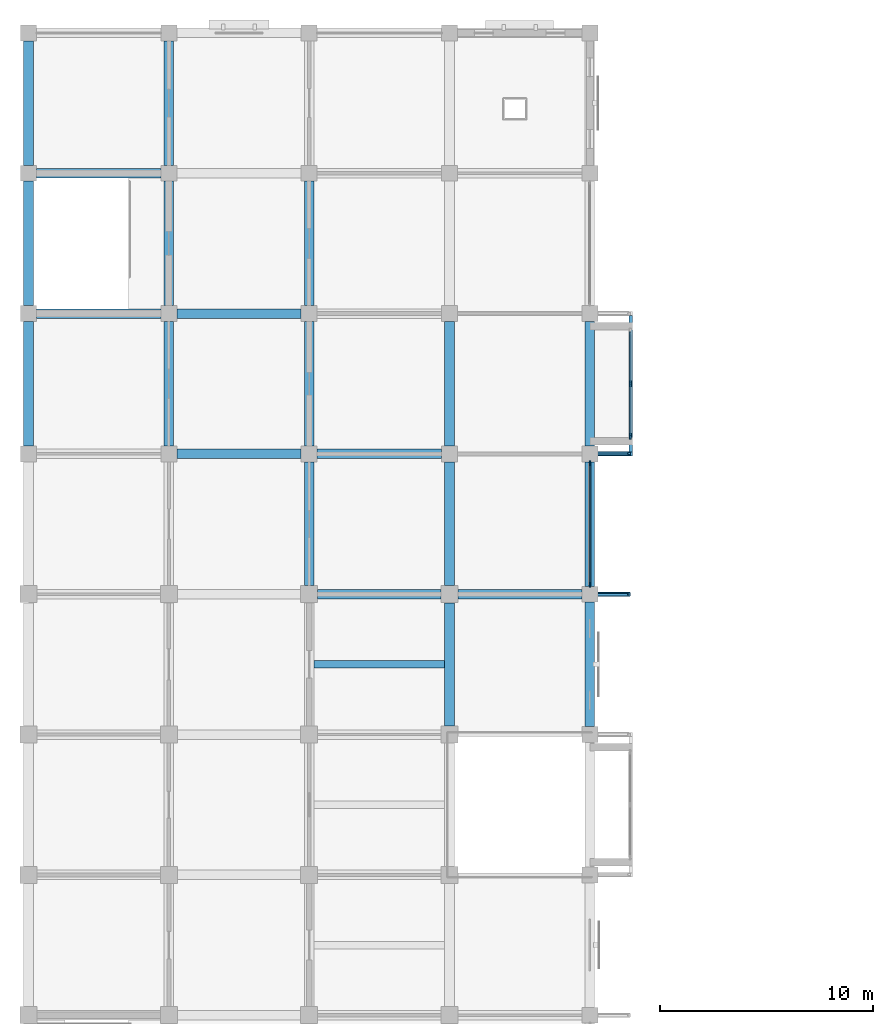
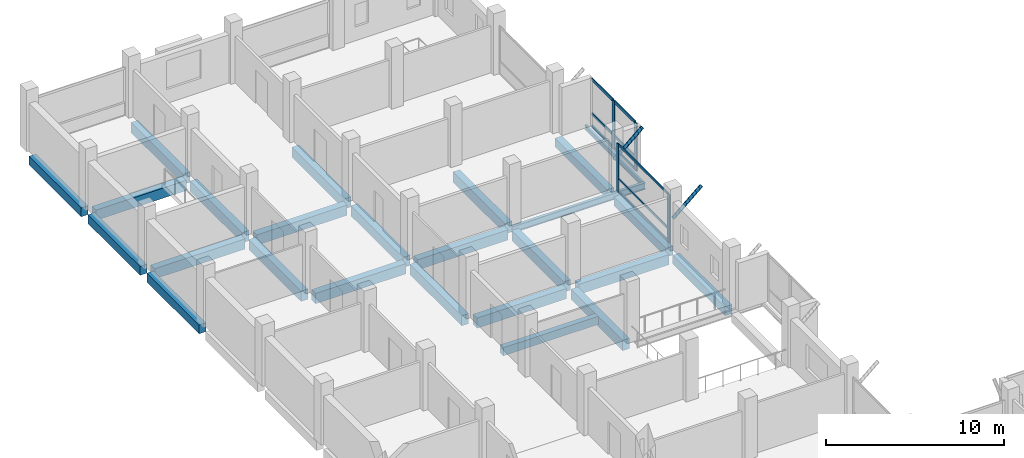
# One storey, part 4 of 14: 25 beams, 15 members, 2 elements without a shape of their own.
"""IFC4 building model written with IfcOpenShell, lengths in metres."""

from ifc_helpers import new_model, si_unit, direction, frame, origin, origin_2d, place, context, subcontext, project, spatial, rectangle, hollow_circle, i_section, extrude, material, material_profile, profile_set, type_object, element, aggregate, save


model = new_model("IFC4")

# Units and contexts
model_context = context("Model", 3, precision=1e-05, world=origin(), true_north=direction((0.0, 1.0)))
body_context = subcontext(model_context, "Body", "Model", "MODEL_VIEW")
ifc_project = project(units=[si_unit("LENGTHUNIT", "METRE"), si_unit("AREAUNIT", "SQUARE_METRE"), si_unit("VOLUMEUNIT", "CUBIC_METRE"), si_unit("PLANEANGLEUNIT", "RADIAN"), si_unit("MASSUNIT", "GRAM", prefix="KILO")], contexts=[model_context])

# Site, building, storey
site_placement = place(None, origin())
site = spatial("IfcSite", under=ifc_project, at=site_placement, CompositionType="ELEMENT")
building_placement = place(site_placement, origin())
building = spatial("IfcBuilding", under=site, at=building_placement, Name="Rusizi Kubbe Research Institute", CompositionType="ELEMENT")
storey_placement = place(building_placement, frame((0.0, 0.0, 31.199951171875)))
storey = spatial("IfcBuildingStorey", under=building, at=storey_placement, Name="L07", CompositionType="ELEMENT", Elevation=31.199951171875)

# Beams
ifc_material_1 = material(Name="Steel S355", Category="steel")
ifc_material_profile_1 = material_profile(ifc_material_1, i_section(OverallWidth=0.14990234375, OverallDepth=0.300048828125, WebThickness=0.007080078125, FlangeThickness=0.0107421875, at=origin_2d()), Name="IPE 300")
ifc_profile_set_1 = profile_set([ifc_material_profile_1], Name="Steel S355")
beam_type_1 = type_object("IfcBeamType", Name="BM-IPE300", PredefinedType="BEAM", material=ifc_profile_set_1)
beam_1_placement = place(storey_placement, frame((28.324951171875, 59.4951171875, -0.47998046875), z_axis=(0.0, 1.0, 0.0), x_axis=(-1.0, 0.0, 0.0)))
element("IfcBeam", 1, at=beam_1_placement, inside=storey, type_object=beam_type_1, Name="Cumba Edge Tie Beam L07-2", PredefinedType="BEAM", context=body_context, shape_type="SweptSolid", body=[
    extrude(i_section(OverallWidth=0.14990234375, OverallDepth=0.300048828125, WebThickness=0.007080078125, FlangeThickness=0.0107421875, at=origin_2d()), origin(), (0.0, 0.0, 1.0), 6.409912109375),
])
ifc_material_2 = material(Name="Steel S355", Category="steel")
ifc_material_profile_2 = material_profile(ifc_material_2, i_section(OverallWidth=0.18994140625, OverallDepth=0.449951171875, WebThickness=0.009521484375, FlangeThickness=0.0146484375, at=origin_2d()), Name="IPE 450")
ifc_profile_set_2 = profile_set([ifc_material_profile_2], Name="Steel S355")
beam_type_2 = type_object("IfcBeamType", Name="BM-IPE450", PredefinedType="BEAM", material=ifc_profile_set_2)
beam_2_placement = place(storey_placement, frame((19.800048828125, 59.39990234375, -0.554931640625), z_axis=(1.0, 0.0, 0.0), x_axis=(0.0, 1.0, 0.0)))
element("IfcBeam", 2, at=beam_2_placement, inside=storey, type_object=beam_type_2, Name="Cumba Back-Spanned Cantilever Beam L07-2S", PredefinedType="BEAM", context=body_context, shape_type="SweptSolid", body=[
    extrude(i_section(OverallWidth=0.18994140625, OverallDepth=0.449951171875, WebThickness=0.009521484375, FlangeThickness=0.0146484375, at=origin_2d()), origin(), (0.0, 0.0, 1.0), 8.599853515625),
])
ifc_material_3 = material(Name="Concrete C40/50", Category="concrete")
ifc_material_profile_3 = material_profile(ifc_material_3, rectangle(XDim=0.35009765625, YDim=0.550048828125, at=origin_2d()), Name="RC350x550")
ifc_profile_set_3 = profile_set([ifc_material_profile_3], Name="Concrete C40/50")
beam_type_3 = type_object("IfcBeamType", Name="BM-RC350x550", PredefinedType="JOIST", material=ifc_profile_set_3)
beam_3_placement = place(storey_placement, frame((13.425048828125, 49.5, -0.60498046875), z_axis=(1.0, 0.0, 0.0), x_axis=(0.0, 1.0, 0.0)))
element("IfcBeam", 3, at=beam_3_placement, inside=storey, type_object=beam_type_3, Name="Lab Stiffener Joist L07 (2,7)", PredefinedType="JOIST", context=body_context, shape_type="SweptSolid", body=[
    extrude(rectangle(XDim=0.35009765625, YDim=0.550048828125, at=origin_2d()), origin(), (0.0, 0.0, 1.0), 6.14990234375),
])
ifc_material_4 = material(Name="Concrete C40/50", Category="concrete")
ifc_material_profile_4 = material_profile(ifc_material_4, rectangle(XDim=0.449951171875, YDim=0.60009765625, at=origin_2d()), Name="RC450x600")
ifc_profile_set_4 = profile_set([ifc_material_profile_4], Name="Concrete C40/50")
beam_type_4 = type_object("IfcBeamType", Name="BM-RC450x600", PredefinedType="SPANDREL", material=ifc_profile_set_4)
for number, where, z_axis, x_axis, name in (
    (4, (0.0, 59.77490234375, -0.6298828125), (0.0, 1.0, 0.0), (-1.0, 0.0, 0.0), "Grid Beam V L07 (0,9)"),
    (5, (0.0, 66.375, -0.6298828125), (0.0, 1.0, 0.0), (-1.0, 0.0, 0.0), "Grid Beam V L07 (0,10)"),
):
    element("IfcBeam", number, at=place(storey_placement, frame(where, z_axis=z_axis, x_axis=x_axis)), inside=storey, type_object=beam_type_4, Name=name, PredefinedType="SPANDREL", context=body_context, shape_type="SweptSolid", body=[
        extrude(rectangle(XDim=0.449951171875, YDim=0.60009765625, at=origin_2d()), origin(), (0.0, 0.0, 1.0), 5.85009765625),
    ])
beam_4_placement = place(storey_placement, frame((0.0, 72.97509765625, -0.6298828125), z_axis=(0.0, 1.0, 0.0), x_axis=(-1.0, 0.0, 0.0)))
element("IfcBeam", 6, at=beam_4_placement, inside=storey, type_object=beam_type_4, Name="Grid Beam V L07 (0,11)", PredefinedType="SPANDREL", context=body_context, shape_type="SweptSolid", body=[
    extrude(rectangle(XDim=0.449951171875, YDim=0.60009765625, at=origin_2d()), origin(), (0.0, 0.0, 1.0), 5.849853515625),
])
beam_5_placement = place(storey_placement, frame((26.39990234375, 46.574951171875, -0.6298828125), z_axis=(0.0, 1.0, 0.0), x_axis=(-1.0, 0.0, 0.0)))
element("IfcBeam", 7, at=beam_5_placement, inside=storey, type_object=beam_type_4, Name="Grid Beam V L07 (4,7)", PredefinedType="SPANDREL", context=body_context, shape_type="SweptSolid", body=[
    extrude(rectangle(XDim=0.449951171875, YDim=0.60009765625, at=origin_2d()), origin(), (0.0, 0.0, 1.0), 5.85009765625),
])
beam_6_placement = place(storey_placement, frame((26.39990234375, 53.175048828125, -0.6298828125), z_axis=(0.0, 1.0, 0.0), x_axis=(-1.0, 0.0, 0.0)))
element("IfcBeam", 8, at=beam_6_placement, inside=storey, type_object=beam_type_4, Name="Grid Beam V L07 (4,8)", PredefinedType="SPANDREL", context=body_context, shape_type="SweptSolid", body=[
    extrude(rectangle(XDim=0.449951171875, YDim=0.60009765625, at=origin_2d()), origin(), (0.0, 0.0, 1.0), 5.849853515625),
])
beam_7_placement = place(storey_placement, frame((26.39990234375, 59.77490234375, -0.6298828125), z_axis=(0.0, 1.0, 0.0), x_axis=(-1.0, 0.0, 0.0)))
element("IfcBeam", 9, at=beam_7_placement, inside=storey, type_object=beam_type_4, Name="Grid Beam V L07 (4,9)", PredefinedType="SPANDREL", context=body_context, shape_type="SweptSolid", body=[
    extrude(rectangle(XDim=0.449951171875, YDim=0.60009765625, at=origin_2d()), origin(), (0.0, 0.0, 1.0), 5.85009765625),
])
ifc_material_5 = material(Name="Concrete C40/50", Category="concrete")
ifc_material_profile_5 = material_profile(ifc_material_5, rectangle(XDim=0.449951171875, YDim=0.699951171875, at=origin_2d()), Name="RC450x700B")
ifc_profile_set_5 = profile_set([ifc_material_profile_5], Name="Concrete C40/50")
beam_type_5 = type_object("IfcBeamType", Name="BM-RC450x700", PredefinedType="BEAM", material=ifc_profile_set_5)
for number, where, z_axis, x_axis, name in (
    (10, (0.375, 66.0, -0.679931640625), (1.0, 0.0, 0.0), (0.0, 1.0, 0.0), "Grid Beam H L07 (0,10)"),
    (11, (0.375, 72.60009765625, -0.679931640625), (1.0, 0.0, 0.0), (0.0, 1.0, 0.0), "Grid Beam H L07 (0,11)"),
):
    element("IfcBeam", number, at=place(storey_placement, frame(where, z_axis=z_axis, x_axis=x_axis)), inside=storey, type_object=beam_type_5, Name=name, PredefinedType="BEAM", context=body_context, shape_type="SweptSolid", body=[
        extrude(rectangle(XDim=0.449951171875, YDim=0.699951171875, at=origin_2d()), origin(), (0.0, 0.0, 1.0), 5.85009765625),
    ])
for number, where, z_axis, x_axis, name in (
    (12, (6.97509765625, 59.39990234375, -0.679931640625), (1.0, 0.0, 0.0), (0.0, 1.0, 0.0), "Grid Beam H L07 (1,9)"),
    (13, (6.97509765625, 66.0, -0.679931640625), (1.0, 0.0, 0.0), (0.0, 1.0, 0.0), "Grid Beam H L07 (1,10)"),
):
    element("IfcBeam", number, at=place(storey_placement, frame(where, z_axis=z_axis, x_axis=x_axis)), inside=storey, type_object=beam_type_5, Name=name, PredefinedType="BEAM", context=body_context, shape_type="SweptSolid", body=[
        extrude(rectangle(XDim=0.449951171875, YDim=0.699951171875, at=origin_2d()), origin(), (0.0, 0.0, 1.0), 5.849853515625),
    ])
beam_8_placement = place(storey_placement, frame((13.60009765625, 52.800048828125, -0.679931640625), z_axis=(1.0, 0.0, 0.0), x_axis=(0.0, 1.0, 0.0)))
element("IfcBeam", 14, at=beam_8_placement, inside=storey, type_object=beam_type_5, Name="Grid Beam H L07 (2,8)", PredefinedType="BEAM", context=body_context, shape_type="SweptSolid", body=[
    extrude(rectangle(XDim=0.449951171875, YDim=0.699951171875, at=origin_2d()), origin(), (0.0, 0.0, 1.0), 5.7998046875),
])
beam_9_placement = place(storey_placement, frame((13.574951171875, 59.39990234375, -0.679931640625), z_axis=(1.0, 0.0, 0.0), x_axis=(0.0, 1.0, 0.0)))
element("IfcBeam", 15, at=beam_9_placement, inside=storey, type_object=beam_type_5, Name="Grid Beam H L07 (2,9)", PredefinedType="BEAM", context=body_context, shape_type="SweptSolid", body=[
    extrude(rectangle(XDim=0.449951171875, YDim=0.699951171875, at=origin_2d()), origin(), (0.0, 0.0, 1.0), 5.85009765625),
])
beam_10_placement = place(storey_placement, frame((20.199951171875, 52.800048828125, -0.679931640625), z_axis=(1.0, 0.0, 0.0), x_axis=(0.0, 1.0, 0.0)))
element("IfcBeam", 16, at=beam_10_placement, inside=storey, type_object=beam_type_5, Name="Grid Beam H L07 (3,8)", PredefinedType="BEAM", context=body_context, shape_type="SweptSolid", body=[
    extrude(rectangle(XDim=0.449951171875, YDim=0.699951171875, at=origin_2d()), origin(), (0.0, 0.0, 1.0), 5.824951171875),
])
for number, where, z_axis, x_axis, name in (
    (17, (6.60009765625, 59.77490234375, -0.679931640625), (0.0, 1.0, 0.0), (-1.0, 0.0, 0.0), "Grid Beam V L07 (1,9)"),
    (18, (6.60009765625, 66.375, -0.679931640625), (0.0, 1.0, 0.0), (-1.0, 0.0, 0.0), "Grid Beam V L07 (1,10)"),
):
    element("IfcBeam", number, at=place(storey_placement, frame(where, z_axis=z_axis, x_axis=x_axis)), inside=storey, type_object=beam_type_5, Name=name, PredefinedType="BEAM", context=body_context, shape_type="SweptSolid", body=[
        extrude(rectangle(XDim=0.449951171875, YDim=0.699951171875, at=origin_2d()), origin(), (0.0, 0.0, 1.0), 5.85009765625),
    ])
beam_11_placement = place(storey_placement, frame((6.60009765625, 72.97509765625, -0.679931640625), z_axis=(0.0, 1.0, 0.0), x_axis=(-1.0, 0.0, 0.0)))
element("IfcBeam", 19, at=beam_11_placement, inside=storey, type_object=beam_type_5, Name="Grid Beam V L07 (1,11)", PredefinedType="BEAM", context=body_context, shape_type="SweptSolid", body=[
    extrude(rectangle(XDim=0.449951171875, YDim=0.699951171875, at=origin_2d()), origin(), (0.0, 0.0, 1.0), 5.849853515625),
])
beam_12_placement = place(storey_placement, frame((13.199951171875, 53.199951171875, -0.679931640625), z_axis=(0.0, 1.0, 0.0), x_axis=(-1.0, 0.0, 0.0)))
element("IfcBeam", 20, at=beam_12_placement, inside=storey, type_object=beam_type_5, Name="Grid Beam V L07 (2,8)", PredefinedType="BEAM", context=body_context, shape_type="SweptSolid", body=[
    extrude(rectangle(XDim=0.449951171875, YDim=0.699951171875, at=origin_2d()), origin(), (0.0, 0.0, 1.0), 5.824951171875),
])
for number, where, z_axis, x_axis, name in (
    (21, (13.199951171875, 59.77490234375, -0.679931640625), (0.0, 1.0, 0.0), (-1.0, 0.0, 0.0), "Grid Beam V L07 (2,9)"),
    (22, (13.199951171875, 66.375, -0.679931640625), (0.0, 1.0, 0.0), (-1.0, 0.0, 0.0), "Grid Beam V L07 (2,10)"),
):
    element("IfcBeam", number, at=place(storey_placement, frame(where, z_axis=z_axis, x_axis=x_axis)), inside=storey, type_object=beam_type_5, Name=name, PredefinedType="BEAM", context=body_context, shape_type="SweptSolid", body=[
        extrude(rectangle(XDim=0.449951171875, YDim=0.699951171875, at=origin_2d()), origin(), (0.0, 0.0, 1.0), 5.85009765625),
    ])
beam_13_placement = place(storey_placement, frame((19.800048828125, 46.60009765625, -0.679931640625), z_axis=(0.0, 1.0, 0.0), x_axis=(-1.0, 0.0, 0.0)))
element("IfcBeam", 23, at=beam_13_placement, inside=storey, type_object=beam_type_5, Name="Grid Beam V L07 (3,7)", PredefinedType="BEAM", context=body_context, shape_type="SweptSolid", body=[
    extrude(rectangle(XDim=0.449951171875, YDim=0.699951171875, at=origin_2d()), origin(), (0.0, 0.0, 1.0), 5.7998046875),
])
beam_14_placement = place(storey_placement, frame((19.800048828125, 53.199951171875, -0.679931640625), z_axis=(0.0, 1.0, 0.0), x_axis=(-1.0, 0.0, 0.0)))
element("IfcBeam", 24, at=beam_14_placement, inside=storey, type_object=beam_type_5, Name="Grid Beam V L07 (3,8)", PredefinedType="BEAM", context=body_context, shape_type="SweptSolid", body=[
    extrude(rectangle(XDim=0.449951171875, YDim=0.699951171875, at=origin_2d()), origin(), (0.0, 0.0, 1.0), 5.824951171875),
])
beam_15_placement = place(storey_placement, frame((19.800048828125, 59.77490234375, -0.679931640625), z_axis=(0.0, 1.0, 0.0), x_axis=(-1.0, 0.0, 0.0)))
element("IfcBeam", 25, at=beam_15_placement, inside=storey, type_object=beam_type_5, Name="Grid Beam V L07 (3,9)", PredefinedType="BEAM", context=body_context, shape_type="SweptSolid", body=[
    extrude(rectangle(XDim=0.449951171875, YDim=0.699951171875, at=origin_2d()), origin(), (0.0, 0.0, 1.0), 5.85009765625),
])

# Members
ifc_material_6 = material(Name="Steel S355", Category="steel")
ifc_material_profile_6 = material_profile(ifc_material_6, hollow_circle(Radius=0.109619140625, WallThickness=0.008056640625, at=origin_2d()), Name="CHS 219.1x8.0")
ifc_profile_set_6 = profile_set([ifc_material_profile_6], Name="Steel S355")
member_type_1 = type_object("IfcMemberType", Name="MB-CHS219", PredefinedType="BRACE", material=ifc_profile_set_6)
for number, where, z_axis, x_axis, name in (
    (26, (26.39990234375, 52.800048828125, 1.880126953125), (0.756409887843, 0.0, 0.654097914362), (0.0, 1.0, 0.0), "Cumba Diagonal Corbel Brace L08-2S"),
    (27, (26.39990234375, 59.39990234375, 1.880126953125), (0.756409887843, 0.0, 0.654097914362), (0.0, 1.0, 0.0), "Cumba Diagonal Corbel Brace L08-2N"),
):
    element("IfcMember", number, at=place(storey_placement, frame(where, z_axis=z_axis, x_axis=x_axis)), inside=storey, type_object=member_type_1, Name=name, PredefinedType="BRACE", context=body_context, shape_type="SweptSolid", body=[
        extrude(hollow_circle(Radius=0.109619140625, WallThickness=0.008056640625, at=origin_2d()), origin(), (0.0, 0.0, 1.0), 2.44580078125),
    ])

# Curtain wall, members
ifc_material_7 = material(Name="Thermally Broken Aluminium and Low-E Glazing", Category="aluminium")
curtain_wall_type_1 = type_object("IfcCurtainWallType", Name="CW-10", PredefinedType="NOTDEFINED", material=ifc_material_7)
curtain_wall_1_placement = place(storey_placement, origin())
curtain_wall_1 = element("IfcCurtainWall", 28, at=curtain_wall_1_placement, inside=storey, type_object=curtain_wall_type_1, Name="Unitised Facade Curtain Wall CW-L07-V-04-08", PredefinedType="NOTDEFINED")
ifc_material_8 = material(Name="Aluminium Alloy 6063-T6", Category="aluminium")
ifc_material_profile_7 = material_profile(ifc_material_8, rectangle(XDim=0.074951171875, YDim=0.25, at=origin_2d()), Name="ALU-M 75x250")
ifc_profile_set_7 = profile_set([ifc_material_profile_7], Name="Aluminium Alloy 6063-T6")
member_type_2 = type_object("IfcMemberType", Name="ML-05", PredefinedType="MULLION", material=ifc_profile_set_7)
member_1_placement = place(storey_placement, frame((26.39990234375, 53.242431640625, 0.0), z_axis=(0.0, 0.0, 1.0), x_axis=(-1.0, 0.0, 0.0)))
member_1 = element("IfcMember", 29, at=member_1_placement, type_object=member_type_2, Name="CW-10 mullion 1", PredefinedType="MULLION", context=body_context, shape_type="SweptSolid", body=[
    extrude(rectangle(XDim=0.074951171875, YDim=0.25, at=origin_2d()), origin(), (0.0, 0.0, 1.0), 3.280029296875),
])
member_2_placement = place(storey_placement, frame((26.39990234375, 58.95751953125, 0.0), z_axis=(0.0, 0.0, 1.0), x_axis=(-1.0, 0.0, 0.0)))
member_2 = element("IfcMember", 30, at=member_2_placement, type_object=member_type_2, Name="CW-10 mullion 2", PredefinedType="MULLION", context=body_context, shape_type="SweptSolid", body=[
    extrude(rectangle(XDim=0.074951171875, YDim=0.25, at=origin_2d()), origin(), (0.0, 0.0, 1.0), 3.280029296875),
])

ifc_material_9 = material(Name="Thermally Broken Aluminium and Low-E Glazing", Category="aluminium")
curtain_wall_type_2 = type_object("IfcCurtainWallType", Name="CW-03", PredefinedType="NOTDEFINED", material=ifc_material_9)
curtain_wall_2_placement = place(storey_placement, origin())
curtain_wall_2 = element("IfcCurtainWall", 31, at=curtain_wall_2_placement, inside=storey, type_object=curtain_wall_type_2, Name="Cumba Glazed Curtain Wall CW-CUMBA-L07-083", PredefinedType="NOTDEFINED")
ifc_material_10 = material(Name="Aluminium Alloy 6063-T6", Category="aluminium")
ifc_material_profile_8 = material_profile(ifc_material_10, rectangle(XDim=0.080078125, YDim=0.280029296875, at=origin_2d()), Name="ALU-M 80x280")
ifc_profile_set_8 = profile_set([ifc_material_profile_8], Name="Aluminium Alloy 6063-T6")
member_type_3 = type_object("IfcMemberType", Name="ML-06", PredefinedType="MULLION", material=ifc_profile_set_8)
member_3_placement = place(storey_placement, frame((28.300048828125, 60.222412109375, 0.0), z_axis=(0.0, 0.0, 1.0), x_axis=(-1.0, 0.0, 0.0)))
member_3 = element("IfcMember", 32, at=member_3_placement, type_object=member_type_3, Name="CW-03 mullion 1", PredefinedType="MULLION", context=body_context, shape_type="SweptSolid", body=[
    extrude(rectangle(XDim=0.080078125, YDim=0.280029296875, at=origin_2d()), origin(), (0.0, 0.0, 1.0), 3.280029296875),
])
member_4_placement = place(storey_placement, frame((28.300048828125, 62.699951171875, 0.0), z_axis=(0.0, 0.0, 1.0), x_axis=(-1.0, 0.0, 0.0)))
member_4 = element("IfcMember", 33, at=member_4_placement, type_object=member_type_3, Name="CW-03 mullion 2", PredefinedType="MULLION", context=body_context, shape_type="SweptSolid", body=[
    extrude(rectangle(XDim=0.080078125, YDim=0.280029296875, at=origin_2d()), origin(), (0.0, 0.0, 1.0), 3.280029296875),
])

# Member
ifc_material_11 = material(Name="Aluminium Alloy 6063-T6", Category="aluminium")
ifc_material_profile_9 = material_profile(ifc_material_11, rectangle(XDim=0.06494140625, YDim=0.159912109375, at=origin_2d()), Name="ALU-T 65x160")
ifc_profile_set_9 = profile_set([ifc_material_profile_9], Name="Aluminium Alloy 6063-T6")
member_type_4 = type_object("IfcMemberType", Name="TR-03", PredefinedType="USERDEFINED", material=ifc_profile_set_9)
member_5_placement = place(storey_placement, frame((26.39990234375, 53.280029296875, 0.032470703125), z_axis=(0.0, 1.0, 0.0), x_axis=(-1.0, 0.0, 0.0)))
member_5 = element("IfcMember", 34, at=member_5_placement, type_object=member_type_4, Name="CW-10 transom 1.1", ObjectType="TRANSOM", PredefinedType="USERDEFINED", context=body_context, shape_type="SweptSolid", body=[
    extrude(rectangle(XDim=0.06494140625, YDim=0.159912109375, at=origin_2d()), origin(), (0.0, 0.0, 1.0), 5.639892578125),
])

member_6_placement = place(storey_placement, frame((26.39990234375, 53.280029296875, 0.900146484375), z_axis=(0.0, 1.0, 0.0), x_axis=(-1.0, 0.0, 0.0)))
member_6 = element("IfcMember", 35, at=member_6_placement, type_object=member_type_4, Name="CW-10 transom 1.2", ObjectType="TRANSOM", PredefinedType="USERDEFINED", context=body_context, shape_type="SweptSolid", body=[
    extrude(rectangle(XDim=0.06494140625, YDim=0.159912109375, at=origin_2d()), origin(), (0.0, 0.0, 1.0), 5.639892578125),
])

member_7_placement = place(storey_placement, frame((26.39990234375, 53.280029296875, 3.24755859375), z_axis=(0.0, 1.0, 0.0), x_axis=(-1.0, 0.0, 0.0)))
member_7 = element("IfcMember", 36, at=member_7_placement, type_object=member_type_4, Name="CW-10 transom 1.3", ObjectType="TRANSOM", PredefinedType="USERDEFINED", context=body_context, shape_type="SweptSolid", body=[
    extrude(rectangle(XDim=0.06494140625, YDim=0.159912109375, at=origin_2d()), origin(), (0.0, 0.0, 1.0), 5.639892578125),
])

aggregate(curtain_wall_1, [member_1, member_2, member_5, member_6, member_7])

ifc_material_12 = material(Name="Aluminium Alloy 6063-T6", Category="aluminium")
ifc_material_profile_10 = material_profile(ifc_material_12, rectangle(XDim=0.070068359375, YDim=0.18994140625, at=origin_2d()), Name="ALU-T 70x190")
ifc_profile_set_10 = profile_set([ifc_material_profile_10], Name="Aluminium Alloy 6063-T6")
member_type_5 = type_object("IfcMemberType", Name="TR-04", PredefinedType="USERDEFINED", material=ifc_profile_set_10)
member_8_placement = place(storey_placement, frame((28.300048828125, 60.262451171875, 0.03515625), z_axis=(0.0, 1.0, 0.0), x_axis=(-1.0, 0.0, 0.0)))
member_8 = element("IfcMember", 37, at=member_8_placement, type_object=member_type_5, Name="CW-03 transom 1.1", ObjectType="TRANSOM", PredefinedType="USERDEFINED", context=body_context, shape_type="SweptSolid", body=[
    extrude(rectangle(XDim=0.070068359375, YDim=0.18994140625, at=origin_2d()), origin(), (0.0, 0.0, 1.0), 2.3974609375),
])

member_9_placement = place(storey_placement, frame((28.300048828125, 60.262451171875, 0.900146484375), z_axis=(0.0, 1.0, 0.0), x_axis=(-1.0, 0.0, 0.0)))
member_9 = element("IfcMember", 38, at=member_9_placement, type_object=member_type_5, Name="CW-03 transom 1.2", ObjectType="TRANSOM", PredefinedType="USERDEFINED", context=body_context, shape_type="SweptSolid", body=[
    extrude(rectangle(XDim=0.070068359375, YDim=0.18994140625, at=origin_2d()), origin(), (0.0, 0.0, 1.0), 2.3974609375),
])

member_10_placement = place(storey_placement, frame((28.300048828125, 60.262451171875, 3.2451171875), z_axis=(0.0, 1.0, 0.0), x_axis=(-1.0, 0.0, 0.0)))
member_10 = element("IfcMember", 39, at=member_10_placement, type_object=member_type_5, Name="CW-03 transom 1.3", ObjectType="TRANSOM", PredefinedType="USERDEFINED", context=body_context, shape_type="SweptSolid", body=[
    extrude(rectangle(XDim=0.070068359375, YDim=0.18994140625, at=origin_2d()), origin(), (0.0, 0.0, 1.0), 2.3974609375),
])

member_11_placement = place(storey_placement, frame((28.300048828125, 62.739990234375, 0.03515625), z_axis=(0.0, 1.0, 0.0), x_axis=(-1.0, 0.0, 0.0)))
member_11 = element("IfcMember", 40, at=member_11_placement, type_object=member_type_5, Name="CW-03 transom 2.1", ObjectType="TRANSOM", PredefinedType="USERDEFINED", context=body_context, shape_type="SweptSolid", body=[
    extrude(rectangle(XDim=0.070068359375, YDim=0.18994140625, at=origin_2d()), origin(), (0.0, 0.0, 1.0), 2.3974609375),
])

member_12_placement = place(storey_placement, frame((28.300048828125, 62.739990234375, 0.900146484375), z_axis=(0.0, 1.0, 0.0), x_axis=(-1.0, 0.0, 0.0)))
member_12 = element("IfcMember", 41, at=member_12_placement, type_object=member_type_5, Name="CW-03 transom 2.2", ObjectType="TRANSOM", PredefinedType="USERDEFINED", context=body_context, shape_type="SweptSolid", body=[
    extrude(rectangle(XDim=0.070068359375, YDim=0.18994140625, at=origin_2d()), origin(), (0.0, 0.0, 1.0), 2.3974609375),
])

member_13_placement = place(storey_placement, frame((28.300048828125, 62.739990234375, 3.2451171875), z_axis=(0.0, 1.0, 0.0), x_axis=(-1.0, 0.0, 0.0)))
member_13 = element("IfcMember", 42, at=member_13_placement, type_object=member_type_5, Name="CW-03 transom 2.3", ObjectType="TRANSOM", PredefinedType="USERDEFINED", context=body_context, shape_type="SweptSolid", body=[
    extrude(rectangle(XDim=0.070068359375, YDim=0.18994140625, at=origin_2d()), origin(), (0.0, 0.0, 1.0), 2.3974609375),
])

aggregate(curtain_wall_2, [member_3, member_4, member_8, member_9, member_10, member_11, member_12, member_13])

save(model, "model.ifc")
